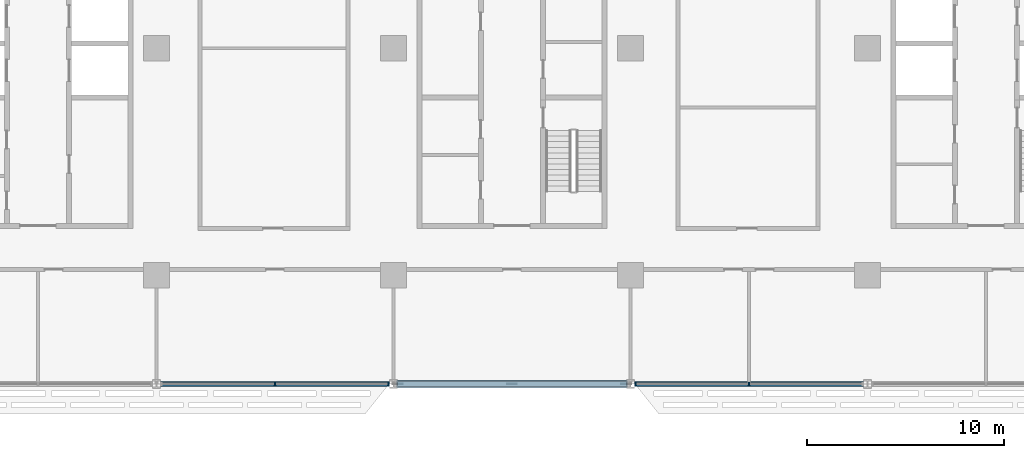
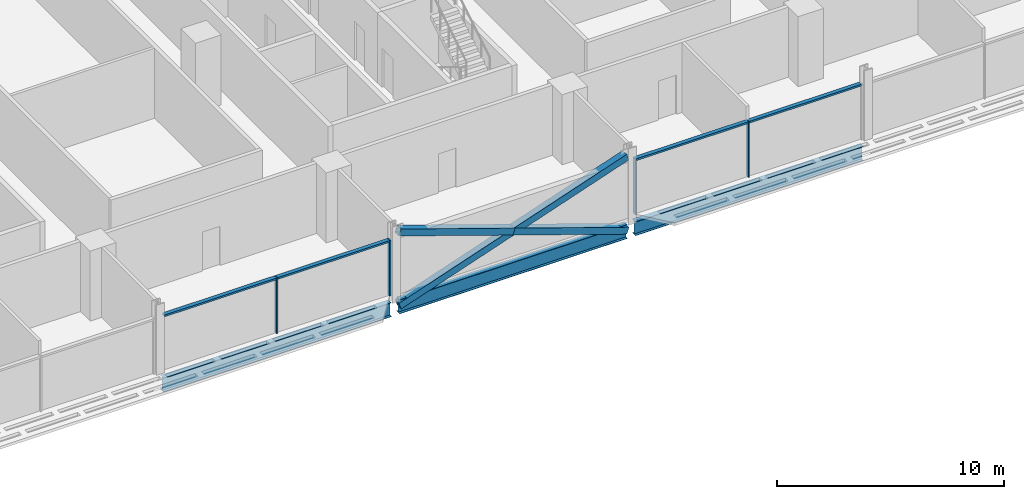
# One storey, part 5 of 28: 11 members, 3 beams, 2 elements without a shape of their own.
"""IFC4 building model written with IfcOpenShell, lengths in metres."""

from ifc_helpers import new_model, si_unit, direction, frame, origin, origin_2d, place, context, subcontext, project, spatial, rectangle, hollow_rectangle, i_section, extrude, material, material_profile, profile_set, type_object, element, aggregate, save


model = new_model("IFC4")

# Units and contexts
model_context = context("Model", 3, precision=1e-05, world=origin(), true_north=direction((0.0, 1.0)))
body_context = subcontext(model_context, "Body", "Model", "MODEL_VIEW")
ifc_project = project(units=[si_unit("LENGTHUNIT", "METRE"), si_unit("AREAUNIT", "SQUARE_METRE"), si_unit("VOLUMEUNIT", "CUBIC_METRE"), si_unit("PLANEANGLEUNIT", "RADIAN"), si_unit("MASSUNIT", "GRAM", prefix="KILO")], contexts=[model_context])

# Site, building, storey
site_placement = place(None, origin())
site = spatial("IfcSite", under=ifc_project, at=site_placement, CompositionType="ELEMENT")
building_placement = place(site_placement, origin())
building = spatial("IfcBuilding", under=site, at=building_placement, Name="Mahtab Terrace Research Tower", CompositionType="ELEMENT")
storey_placement = place(building_placement, frame((0.0, 0.0, 134.300048828125)))
storey = spatial("IfcBuildingStorey", under=building, at=storey_placement, Name="L31", CompositionType="ELEMENT", Elevation=134.300048828125)

# Members
ifc_material_1 = material(Name="Steel ASTM A500 Gr C", Category="steel")
ifc_material_profile_1 = material_profile(ifc_material_1, hollow_rectangle(XDim=0.355712890625, YDim=0.355712890625, WallThickness=0.01904296875, at=origin_2d()), Name="HSS14X14X3/4")
ifc_profile_set_1 = profile_set([ifc_material_profile_1], Name="Steel ASTM A500 Gr C")
member_type_1 = type_object("IfcMemberType", Name="HSS 14x14x3/4 brace XB141434", PredefinedType="BRACE", material=ifc_profile_set_1)
member_1_placement = place(storey_placement, frame((-5.794189453125, -17.0, -0.648193359375), z_axis=(0.946288278, 0.0, 0.323324132908), x_axis=(0.0, 1.0, 0.0)))
element("IfcMember", 1, at=member_1_placement, inside=storey, type_object=member_type_1, Name="Exoskeleton brace L31 17 a", PredefinedType="BRACE", context=body_context, shape_type="SweptSolid", body=[
    extrude(hollow_rectangle(XDim=0.355712890625, YDim=0.355712890625, WallThickness=0.01904296875, at=origin_2d()), origin(), (0.0, 0.0, 1.0), 12.24609375),
])
for number, where, z_axis, x_axis, name in (
    (2, (5.794189453125, -17.0, -0.648193359375), (-0.946288278, 0.0, 0.323324132908), (0.0, -1.0, 0.0), "Exoskeleton brace L31 17 b1"),
    (3, (0.0, -17.0, 1.33154296875), (-0.946288278, 0.0, 0.323324132908), (0.0, -1.0, 0.0), "Exoskeleton brace L31 17 b2"),
):
    element("IfcMember", number, at=place(storey_placement, frame(where, z_axis=z_axis, x_axis=x_axis)), inside=storey, type_object=member_type_1, Name=name, PredefinedType="BRACE", context=body_context, shape_type="SweptSolid", body=[
        extrude(hollow_rectangle(XDim=0.355712890625, YDim=0.355712890625, WallThickness=0.01904296875, at=origin_2d()), origin(), (0.0, 0.0, 1.0), 6.123046875),
    ])

# Curtain wall, members
ifc_material_2 = material(Name="Laboratory ribbon curtain wall")
curtain_wall_type = type_object("IfcCurtainWallType", Name="Laboratory ribbon curtain wall", PredefinedType="NOTDEFINED", material=ifc_material_2)
curtain_wall_1_placement = place(storey_placement, origin())
curtain_wall_1 = element("IfcCurtainWall", 4, at=curtain_wall_1_placement, inside=storey, type_object=curtain_wall_type, Name="EN.L31.13.26", PredefinedType="NOTDEFINED")
ifc_material_3 = material(Name="Natural anodised aluminium", Category="aluminium")
ifc_material_profile_2 = material_profile(ifc_material_3, rectangle(XDim=0.199951171875, YDim=0.06494140625, at=origin_2d()), Name="MULLION 65x200")
ifc_profile_set_2 = profile_set([ifc_material_profile_2], Name="Natural anodised aluminium")
member_type_2 = type_object("IfcMemberType", Name="Laboratory ribbon curtain wall mullion", PredefinedType="MULLION", material=ifc_profile_set_2)
member_2_placement = place(storey_placement, frame((-12.0, -17.0, 0.0), z_axis=(0.0, 0.0, 1.0), x_axis=(0.0, 1.0, 0.0)))
member_2 = element("IfcMember", 5, at=member_2_placement, type_object=member_type_2, Name="CWL-4 mullion 2", PredefinedType="MULLION", context=body_context, shape_type="SweptSolid", body=[
    extrude(rectangle(XDim=0.199951171875, YDim=0.06494140625, at=origin_2d()), origin(), (0.0, 0.0, 1.0), 3.0029296875),
])
member_3_placement = place(storey_placement, frame((-6.25048828125, -17.0, 0.0), z_axis=(0.0, 0.0, 1.0), x_axis=(0.0, 1.0, 0.0)))
member_3 = element("IfcMember", 6, at=member_3_placement, type_object=member_type_2, Name="CWL-4 mullion 3", PredefinedType="MULLION", context=body_context, shape_type="SweptSolid", body=[
    extrude(rectangle(XDim=0.199951171875, YDim=0.06494140625, at=origin_2d()), origin(), (0.0, 0.0, 1.0), 3.0029296875),
])

curtain_wall_2_placement = place(storey_placement, origin())
curtain_wall_2 = element("IfcCurtainWall", 7, at=curtain_wall_2_placement, inside=storey, type_object=curtain_wall_type, Name="EN.L31.13.28", PredefinedType="NOTDEFINED")
member_4_placement = place(storey_placement, frame((6.25048828125, -17.0, 0.0), z_axis=(0.0, 0.0, 1.0), x_axis=(0.0, 1.0, 0.0)))
member_4 = element("IfcMember", 8, at=member_4_placement, type_object=member_type_2, Name="CWL-4 mullion 1", PredefinedType="MULLION", context=body_context, shape_type="SweptSolid", body=[
    extrude(rectangle(XDim=0.199951171875, YDim=0.06494140625, at=origin_2d()), origin(), (0.0, 0.0, 1.0), 3.0029296875),
])
member_5_placement = place(storey_placement, frame((12.0, -17.0, 0.0), z_axis=(0.0, 0.0, 1.0), x_axis=(0.0, 1.0, 0.0)))
member_5 = element("IfcMember", 9, at=member_5_placement, type_object=member_type_2, Name="CWL-4 mullion 2", PredefinedType="MULLION", context=body_context, shape_type="SweptSolid", body=[
    extrude(rectangle(XDim=0.199951171875, YDim=0.06494140625, at=origin_2d()), origin(), (0.0, 0.0, 1.0), 3.0029296875),
])

# Member
ifc_material_profile_3 = material_profile(ifc_material_3, rectangle(XDim=0.199951171875, YDim=0.10009765625, at=origin_2d()), Name="TRANSOM 100x200")
ifc_profile_set_3 = profile_set([ifc_material_profile_3], Name="Natural anodised aluminium")
member_type_3 = type_object("IfcMemberType", Name="Laboratory ribbon curtain wall transom", PredefinedType="USERDEFINED", material=ifc_profile_set_3)
member_6_placement = place(storey_placement, frame((-17.717041015625, -17.0, 2.953125), z_axis=(1.0, 0.0, 0.0), x_axis=(0.0, 1.0, 0.0)))
member_6 = element("IfcMember", 10, at=member_6_placement, type_object=member_type_3, Name="CWL-4 transom 1", ObjectType="TRANSOM", PredefinedType="USERDEFINED", context=body_context, shape_type="SweptSolid", body=[
    extrude(rectangle(XDim=0.199951171875, YDim=0.10009765625, at=origin_2d()), origin(), (0.0, 0.0, 1.0), 5.6845703125),
])

member_7_placement = place(storey_placement, frame((-11.967529296875, -17.0, 2.953125), z_axis=(1.0, 0.0, 0.0), x_axis=(0.0, 1.0, 0.0)))
member_7 = element("IfcMember", 11, at=member_7_placement, type_object=member_type_3, Name="CWL-4 transom 2", ObjectType="TRANSOM", PredefinedType="USERDEFINED", context=body_context, shape_type="SweptSolid", body=[
    extrude(rectangle(XDim=0.199951171875, YDim=0.10009765625, at=origin_2d()), origin(), (0.0, 0.0, 1.0), 5.6845703125),
])

aggregate(curtain_wall_1, [member_2, member_3, member_6, member_7])

member_8_placement = place(storey_placement, frame((6.282958984375, -17.0, 2.953125), z_axis=(1.0, 0.0, 0.0), x_axis=(0.0, 1.0, 0.0)))
member_8 = element("IfcMember", 12, at=member_8_placement, type_object=member_type_3, Name="CWL-4 transom 1", ObjectType="TRANSOM", PredefinedType="USERDEFINED", context=body_context, shape_type="SweptSolid", body=[
    extrude(rectangle(XDim=0.199951171875, YDim=0.10009765625, at=origin_2d()), origin(), (0.0, 0.0, 1.0), 5.6845703125),
])

member_9_placement = place(storey_placement, frame((12.032470703125, -17.0, 2.953125), z_axis=(1.0, 0.0, 0.0), x_axis=(0.0, 1.0, 0.0)))
member_9 = element("IfcMember", 13, at=member_9_placement, type_object=member_type_3, Name="CWL-4 transom 2", ObjectType="TRANSOM", PredefinedType="USERDEFINED", context=body_context, shape_type="SweptSolid", body=[
    extrude(rectangle(XDim=0.199951171875, YDim=0.10009765625, at=origin_2d()), origin(), (0.0, 0.0, 1.0), 5.6845703125),
])

aggregate(curtain_wall_2, [member_4, member_5, member_8, member_9])

# Beams
ifc_material_4 = material(Name="Steel ASTM A992 Gr 50", Category="steel")
ifc_material_profile_4 = material_profile(ifc_material_4, i_section(OverallWidth=0.2666015625, OverallDepth=0.7568359375, WebThickness=0.013916015625, FlangeThickness=0.019287109375, at=origin_2d()), Name="W30X108")
ifc_profile_set_4 = profile_set([ifc_material_profile_4], Name="Steel ASTM A992 Gr 50")
beam_type = type_object("IfcBeamType", Name="W30x108 beam BS30108", PredefinedType="BEAM", material=ifc_profile_set_4)
for number, where, z_axis, x_axis, name in (
    (14, (-17.794189453125, -17.0, -0.718505859375), (1.0, 0.0, 0.0), (0.0, 1.0, 0.0), "Spandrel beam L31 16"),
    (15, (-5.794189453125, -17.0, -0.718505859375), (1.0, 0.0, 0.0), (0.0, 1.0, 0.0), "Spandrel beam L31 17"),
    (16, (6.205810546875, -17.0, -0.718505859375), (1.0, 0.0, 0.0), (0.0, 1.0, 0.0), "Spandrel beam L31 18"),
):
    element("IfcBeam", number, at=place(storey_placement, frame(where, z_axis=z_axis, x_axis=x_axis)), inside=storey, type_object=beam_type, Name=name, PredefinedType="BEAM", context=body_context, shape_type="SweptSolid", body=[
        extrude(i_section(OverallWidth=0.2666015625, OverallDepth=0.7568359375, WebThickness=0.013916015625, FlangeThickness=0.019287109375, at=origin_2d()), origin(), (0.0, 0.0, 1.0), 11.58837890625),
    ])

save(model, "model.ifc")
